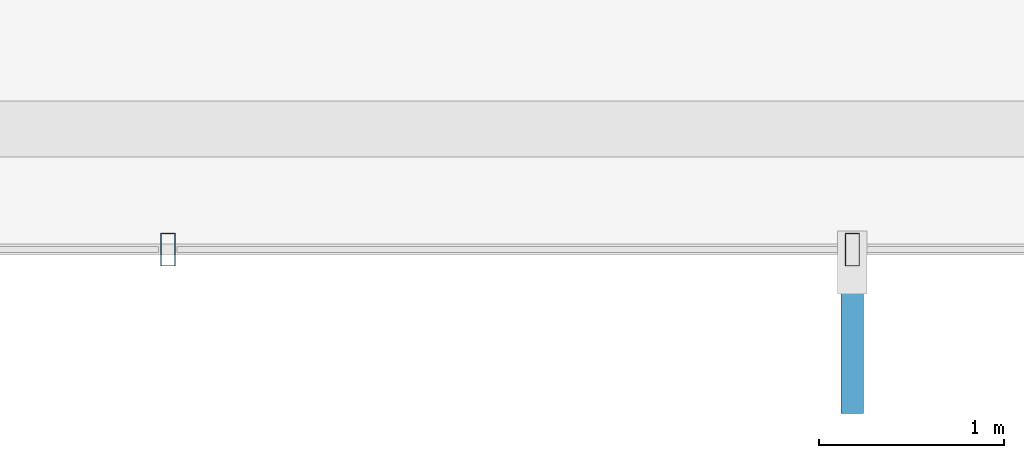
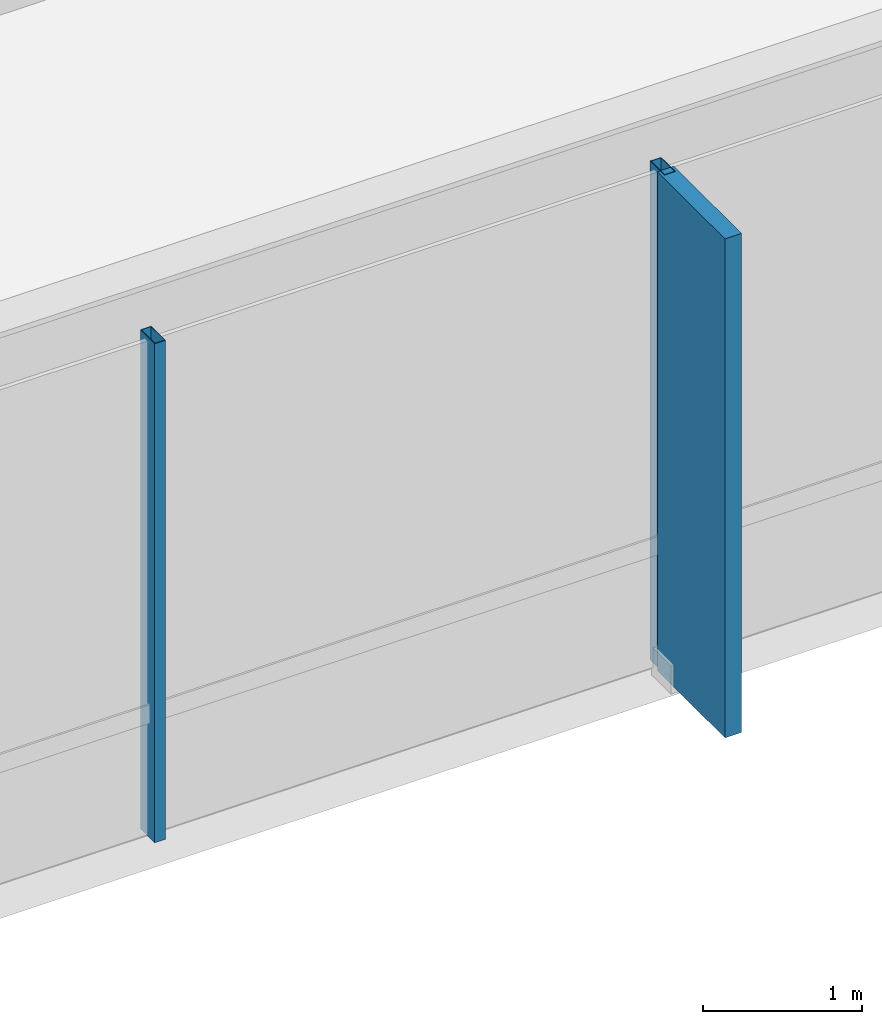
# One storey, part 8 of 25: 3 members, 1 element without a shape of its own.
"""IFC4 building model written with IfcOpenShell, lengths in metres."""

from ifc_helpers import new_model, si_unit, direction, frame, origin, origin_2d, place, context, subcontext, project, spatial, rectangle, hollow_rectangle, extrude, material, layer, layer_set, material_profile, profile_set, type_object, element, aggregate, save


model = new_model("IFC4")

# Units and contexts
model_context = context("Model", 3, precision=1e-05, world=origin(), true_north=direction((0.0, 1.0)))
body_context = subcontext(model_context, "Body", "Model", "MODEL_VIEW")
ifc_project = project(units=[si_unit("LENGTHUNIT", "METRE"), si_unit("AREAUNIT", "SQUARE_METRE"), si_unit("VOLUMEUNIT", "CUBIC_METRE"), si_unit("PLANEANGLEUNIT", "RADIAN"), si_unit("MASSUNIT", "GRAM", prefix="KILO")], contexts=[model_context])

# Site, building, storey
site_placement = place(None, origin())
site = spatial("IfcSite", under=ifc_project, at=site_placement, CompositionType="ELEMENT")
building_placement = place(site_placement, origin())
building = spatial("IfcBuilding", under=site, at=building_placement, Name="Zarrinselat Tower", CompositionType="ELEMENT")
storey_placement = place(building_placement, frame((0.0, 0.0, 39.780029296875)))
storey = spatial("IfcBuildingStorey", under=building, at=storey_placement, Name="L09", CompositionType="ELEMENT", Elevation=39.780029296875)

# Curtain wall, members
ifc_material_1 = material(Name="Extruded Aluminium Alloy EN AW-6063 T6", Category="aluminium")
ifc_layer = layer(ifc_material_1, 0.18505859375)
ifc_layer_set = layer_set([ifc_layer], Name="Extruded Aluminium Alloy EN AW-6063 T6")
curtain_wall_type = type_object("IfcCurtainWallType", Name="CWS-OFF", PredefinedType="NOTDEFINED", material=ifc_layer_set)
curtain_wall_placement = place(storey_placement, origin())
curtain_wall = element("IfcCurtainWall", 1, at=curtain_wall_placement, inside=storey, type_object=curtain_wall_type, Name="L09 Unitised Curtain Wall CW-L09-E04", PredefinedType="NOTDEFINED")
ifc_material_2 = material(Name="Extruded Aluminium Alloy EN AW-6063 T6", Category="aluminium")
ifc_material_profile_1 = material_profile(ifc_material_2, hollow_rectangle(XDim=0.080078125, YDim=0.179931640625, WallThickness=0.0048828125, at=origin_2d()), Name="RHS 180x80x5")
ifc_profile_set_1 = profile_set([ifc_material_profile_1], Name="Extruded Aluminium Alloy EN AW-6063 T6")
member_type_1 = type_object("IfcMemberType", Name="MEM-CW-MUL", PredefinedType="MULLION", material=ifc_profile_set_1)
member_1_placement = place(storey_placement, frame((42.091552734375, 19.02294921875, 0.0), z_axis=(0.0, 0.0, 1.0), x_axis=(1.0, 0.0, 0.0)))
member_1 = element("IfcMember", 2, at=member_1_placement, type_object=member_type_1, Name="CW-L09-E04 Mullion 4", PredefinedType="MULLION", context=body_context, shape_type="SweptSolid", body=[
    extrude(hollow_rectangle(XDim=0.080078125, YDim=0.179931640625, WallThickness=0.0048828125, at=origin_2d()), origin(), (0.0, 0.0, 1.0), 3.820068359375),
])
member_2_placement = place(storey_placement, frame((45.783203125, 19.02294921875, 0.0), z_axis=(0.0, 0.0, 1.0), x_axis=(1.0, 0.0, 0.0)))
member_2 = element("IfcMember", 3, at=member_2_placement, type_object=member_type_1, Name="CW-L09-E04 Mullion 5", PredefinedType="MULLION", context=body_context, shape_type="SweptSolid", body=[
    extrude(hollow_rectangle(XDim=0.080078125, YDim=0.179931640625, WallThickness=0.0048828125, at=origin_2d()), origin(), (0.0, 0.0, 1.0), 3.820068359375),
])
ifc_material_3 = material(Name="Honed Cream Travertine Stone", Category="masonry")
ifc_material_profile_2 = material_profile(ifc_material_3, rectangle(XDim=0.1201171875, YDim=0.85009765625, at=origin_2d()), Name="FIN 850x120")
ifc_profile_set_2 = profile_set([ifc_material_profile_2], Name="Honed Cream Travertine Stone")
member_type_2 = type_object("IfcMemberType", Name="MEM-STONE-FIN", PredefinedType="USERDEFINED", material=ifc_profile_set_2)
member_3_placement = place(storey_placement, frame((45.783203125, 18.56298828125, 0.0), z_axis=(0.0, 0.0, 1.0), x_axis=(-1.0, 0.0, 0.0)))
member_3 = element("IfcMember", 4, at=member_3_placement, type_object=member_type_2, Name="L09 Stone Shading Fin CW-L09-E04-05", ObjectType="FIN", PredefinedType="USERDEFINED", context=body_context, shape_type="SweptSolid", body=[
    extrude(rectangle(XDim=0.1201171875, YDim=0.85009765625, at=origin_2d()), origin(), (0.0, 0.0, 1.0), 3.820068359375),
])
aggregate(curtain_wall, [member_1, member_2, member_3])

save(model, "model.ifc")
